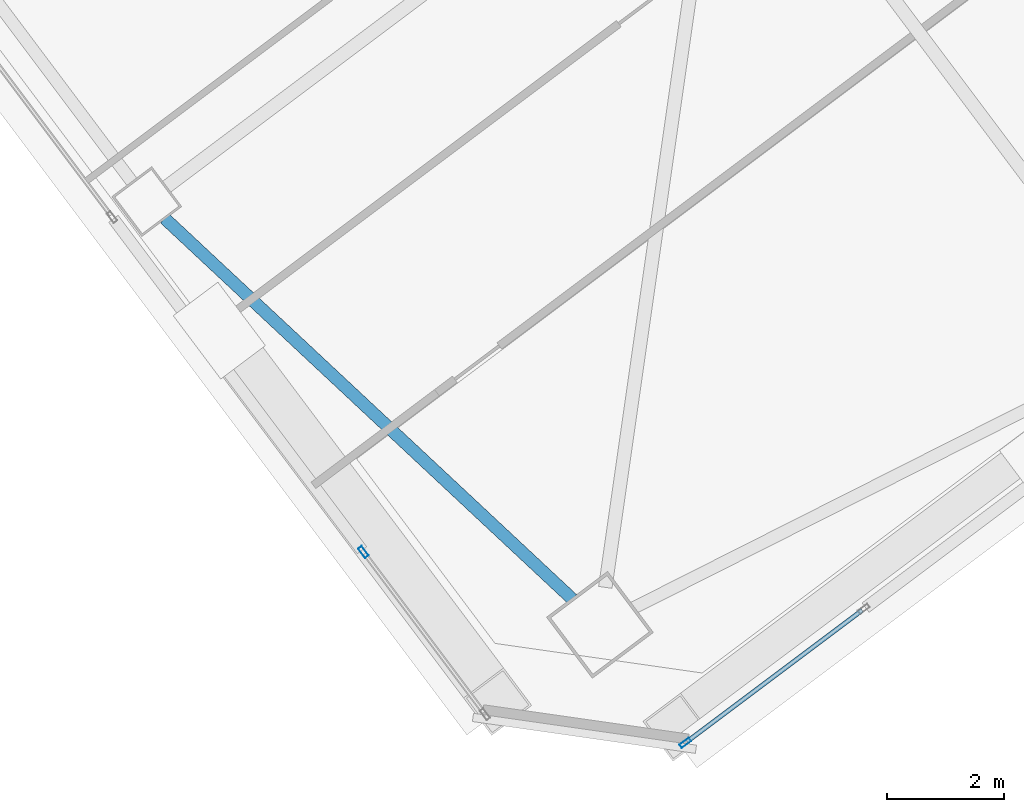
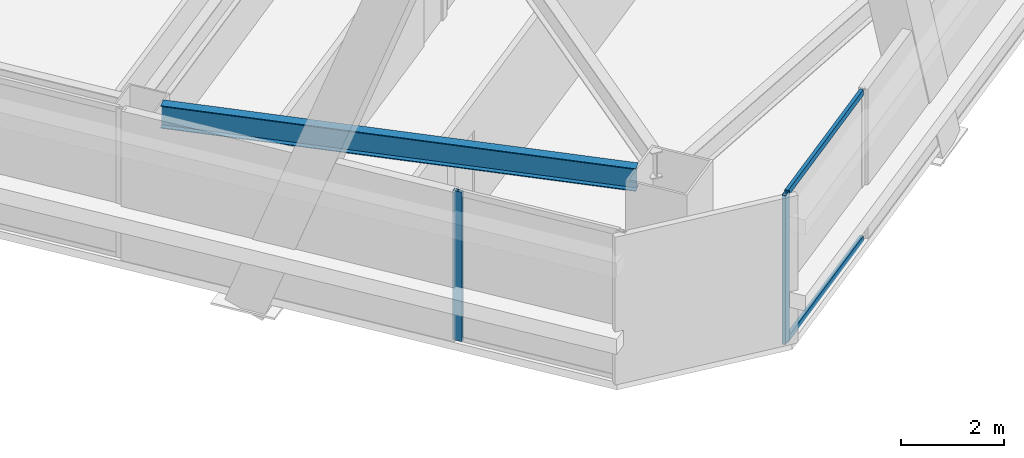
# One storey, part 26 of 54: 4 members, 1 beam, 2 elements without a shape of their own.
"""IFC4 building model written with IfcOpenShell, lengths in metres."""

from ifc_helpers import new_model, si_unit, direction, frame, origin, origin_2d, place, context, subcontext, project, spatial, hollow_rectangle, i_section, extrude, material, material_profile, profile_set, type_object, element, aggregate, save


model = new_model("IFC4")

# Units and contexts
model_context = context("Model", 3, precision=1e-05, world=origin(), true_north=direction((0.0, 1.0)))
body_context = subcontext(model_context, "Body", "Model", "MODEL_VIEW")
ifc_project = project(units=[si_unit("LENGTHUNIT", "METRE"), si_unit("AREAUNIT", "SQUARE_METRE"), si_unit("VOLUMEUNIT", "CUBIC_METRE"), si_unit("PLANEANGLEUNIT", "RADIAN"), si_unit("MASSUNIT", "GRAM", prefix="KILO")], contexts=[model_context])

# Site, building, storey
site_placement = place(None, origin())
site = spatial("IfcSite", under=ifc_project, at=site_placement, CompositionType="ELEMENT")
building_placement = place(site_placement, origin())
building = spatial("IfcBuilding", under=site, at=building_placement, Name="Tashvorn Skyway Center", CompositionType="ELEMENT")
storey_placement = place(building_placement, frame((0.0, 0.0, 135.699951171875)))
storey = spatial("IfcBuildingStorey", under=building, at=storey_placement, Name="L36", CompositionType="ELEMENT", Elevation=135.699951171875)

# Beam
ifc_material_1 = material(Name="Steel ASTM A992 Grade 50", Category="steel")
ifc_material_profile_1 = material_profile(ifc_material_1, i_section(OverallWidth=0.2109375, OverallDepth=0.5390625, WebThickness=0.01171875, FlangeThickness=0.018798828125, at=origin_2d()), Name="W21X73")
ifc_profile_set_1 = profile_set([ifc_material_profile_1], Name="Steel ASTM A992 Grade 50")
beam_type = type_object("IfcBeamType", Name="BM-SPANDREL-W21X73", PredefinedType="SPANDREL", material=ifc_profile_set_1)
beam_placement = place(storey_placement, frame((103.427001953125, 16.80322265625, 3.1005859375), z_axis=(0.730843250868, -0.682545341102, 0.0), x_axis=(0.682545341102, 0.730843250868, 0.0)))
element("IfcBeam", 1, at=beam_placement, inside=storey, type_object=beam_type, Name="Tower 2 L36 Spandrel Beam 12", PredefinedType="SPANDREL", context=body_context, shape_type="SweptSolid", body=[
    extrude(i_section(OverallWidth=0.2109375, OverallDepth=0.5390625, WebThickness=0.01171875, FlangeThickness=0.018798828125, at=origin_2d()), origin(), (0.0, 0.0, 1.0), 9.498046875),
])

# Curtain wall, member
ifc_material_2 = material(Name="Thermally broken bronze-anodized aluminium 6063-T6", Category="aluminium")
curtain_wall_type = type_object("IfcCurtainWallType", Name="CW-CW-Z3", PredefinedType="NOTDEFINED", material=ifc_material_2)
curtain_wall_1_placement = place(storey_placement, origin())
curtain_wall_1 = element("IfcCurtainWall", 2, at=curtain_wall_1_placement, inside=storey, type_object=curtain_wall_type, Name="Tower 2 L36 South Curtain Wall R Glazing Group 1", PredefinedType="NOTDEFINED")
ifc_material_profile_2 = material_profile(ifc_material_2, hollow_rectangle(XDim=0.074951171875, YDim=0.199951171875, WallThickness=0.00439453125, at=origin_2d()), Name="ALU-MULL-75x200")
ifc_profile_set_2 = profile_set([ifc_material_profile_2], Name="Thermally broken bronze-anodized aluminium 6063-T6")
member_type_1 = type_object("IfcMemberType", Name="CWM-CW-Z3", PredefinedType="MULLION", material=ifc_profile_set_2)
member_1_placement = place(storey_placement, frame((112.2939453125, 7.87060546875, 0.0), z_axis=(0.0, 0.0, 1.0), x_axis=(0.600004127279, -0.799996904524, 0.0)))
member_1 = element("IfcMember", 3, at=member_1_placement, type_object=member_type_1, Name="CW-Z3 mullion 2", PredefinedType="MULLION", context=body_context, shape_type="SweptSolid", body=[
    extrude(hollow_rectangle(XDim=0.074951171875, YDim=0.199951171875, WallThickness=0.00439453125, at=origin_2d()), origin(), (0.0, 0.0, 1.0), 3.550048828125),
])

curtain_wall_2_placement = place(storey_placement, origin())
curtain_wall_2 = element("IfcCurtainWall", 4, at=curtain_wall_2_placement, inside=storey, type_object=curtain_wall_type, Name="Tower 2 L36 West Unitised Curtain Wall Glazing Group 1", PredefinedType="NOTDEFINED")
member_2_placement = place(storey_placement, frame((106.80908203125, 11.12109375, 0.0), z_axis=(0.0, 0.0, 1.0), x_axis=(-0.800003400519, -0.599995465948, 0.0)))
member_2 = element("IfcMember", 5, at=member_2_placement, type_object=member_type_1, Name="CW-Z3 mullion 2", PredefinedType="MULLION", context=body_context, shape_type="SweptSolid", body=[
    extrude(hollow_rectangle(XDim=0.074951171875, YDim=0.199951171875, WallThickness=0.00439453125, at=origin_2d()), origin(), (0.0, 0.0, 1.0), 3.550048828125),
])
aggregate(curtain_wall_2, [member_2])

# Member
ifc_material_profile_3 = material_profile(ifc_material_2, hollow_rectangle(XDim=0.074951171875, YDim=0.139892578125, WallThickness=0.004150390625, at=origin_2d()), Name="ALU-TRAN-75x140")
ifc_profile_set_3 = profile_set([ifc_material_profile_3], Name="Thermally broken bronze-anodized aluminium 6063-T6")
member_type_2 = type_object("IfcMemberType", Name="CWT-CW-Z3", PredefinedType="USERDEFINED", material=ifc_profile_set_3)
member_3_placement = place(storey_placement, frame((115.305419921875, 10.12890625, 0.03759765625), z_axis=(-0.800031444618, -0.599958071554, 0.0), x_axis=(0.599958071554, -0.800031444618, 0.0)))
member_3 = element("IfcMember", 6, at=member_3_placement, type_object=member_type_2, Name="CW-Z3 transom 1.1", ObjectType="TRANSOM", PredefinedType="USERDEFINED", context=body_context, shape_type="SweptSolid", body=[
    extrude(hollow_rectangle(XDim=0.074951171875, YDim=0.139892578125, WallThickness=0.004150390625, at=origin_2d()), origin(), (0.0, 0.0, 1.0), 3.7265625),
])

member_4_placement = place(storey_placement, frame((115.305419921875, 10.12890625, 3.512451171875), z_axis=(-0.800031444618, -0.599958071554, 0.0), x_axis=(0.599958071554, -0.800031444618, 0.0)))
member_4 = element("IfcMember", 7, at=member_4_placement, type_object=member_type_2, Name="CW-Z3 transom 1.2", ObjectType="TRANSOM", PredefinedType="USERDEFINED", context=body_context, shape_type="SweptSolid", body=[
    extrude(hollow_rectangle(XDim=0.074951171875, YDim=0.139892578125, WallThickness=0.004150390625, at=origin_2d()), origin(), (0.0, 0.0, 1.0), 3.7265625),
])

aggregate(curtain_wall_1, [member_1, member_3, member_4])

save(model, "model.ifc")
